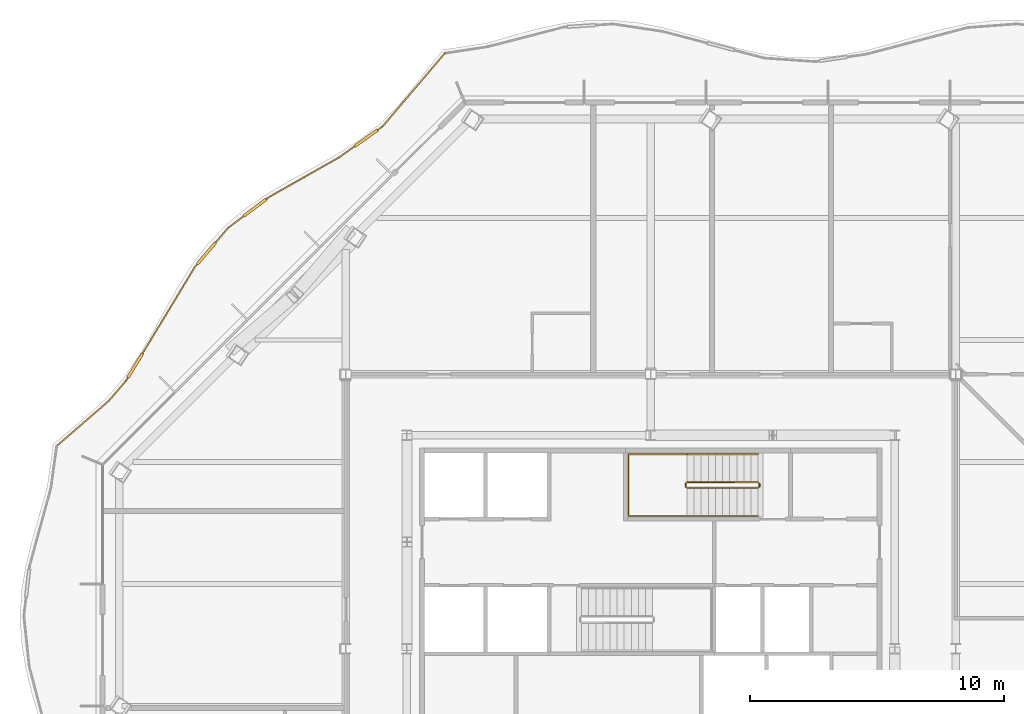
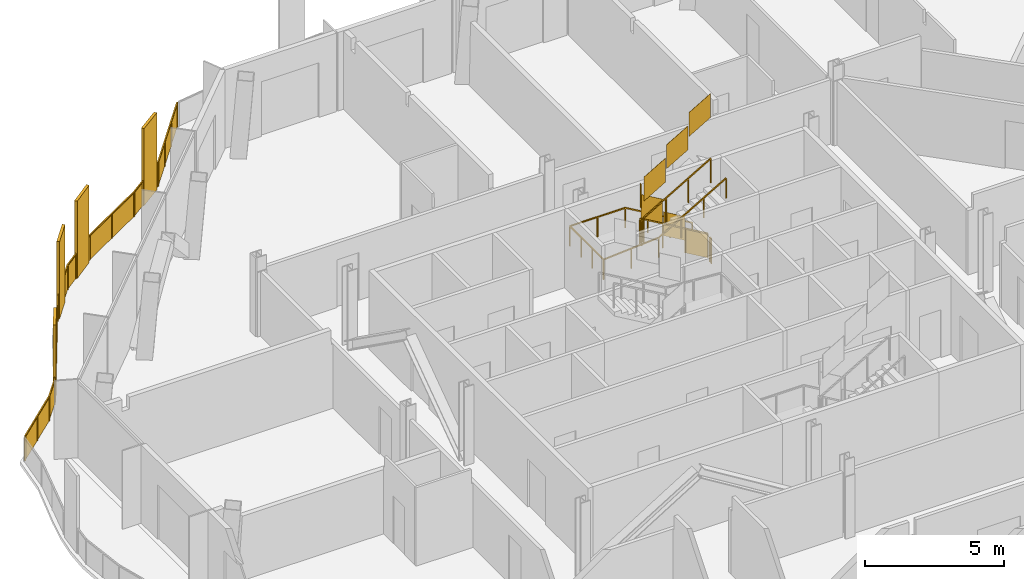
# One storey, part 18 of 19: 4 railings.
"""IFC4 building model written with IfcOpenShell, lengths in metres."""

from ifc_helpers import new_model, si_unit, direction, frame, origin, origin_2d, place, context, subcontext, project, spatial, polyline, rectangle, outline, extrude, material, type_object, element, save


model = new_model("IFC4")

# Units and contexts
model_context = context("Model", 3, precision=1e-05, world=origin(), true_north=direction((0.0, 1.0)))
body_context = subcontext(model_context, "Body", "Model", "MODEL_VIEW")
ifc_project = project(units=[si_unit("LENGTHUNIT", "METRE"), si_unit("AREAUNIT", "SQUARE_METRE"), si_unit("VOLUMEUNIT", "CUBIC_METRE"), si_unit("PLANEANGLEUNIT", "RADIAN"), si_unit("MASSUNIT", "GRAM", prefix="KILO")], contexts=[model_context])

# Site, building, storey
site_placement = place(None, origin())
site = spatial("IfcSite", under=ifc_project, at=site_placement, CompositionType="ELEMENT")
building_placement = place(site_placement, origin())
building = spatial("IfcBuilding", under=site, at=building_placement, Name="Cairn Pilgrim Tower", CompositionType="ELEMENT")
storey_placement = place(building_placement, frame((0.0, 0.0, 197.39990234375)))
storey = spatial("IfcBuildingStorey", under=building, at=storey_placement, Name="L50", CompositionType="ELEMENT", Elevation=197.39990234375)

# Railings
ifc_material_1 = material(Name="Bronze anodised aluminium rail, posts and fin screens with laminated glass infill", Category="aluminium")
railing_type_1 = type_object("IfcRailingType", Name="BALCONY GUARD WITH FIN SCREENS", PredefinedType="GUARDRAIL", material=ifc_material_1)
railing_1_placement = place(storey_placement, frame((-0.903564453125, 25.83642578125, 0.0)))
element("IfcRailing", 1, at=railing_1_placement, inside=storey, type_object=railing_type_1, Name="Balcony guard BGF-6 with fin screens", PredefinedType="GUARDRAIL", context=body_context, shape_type="SweptSolid", body=[
    extrude(rectangle(XDim=0.050048828125, YDim=0.050048828125, at=origin_2d()), frame((0.0, 0.0, 1.0751953125), z_axis=(-0.648116242529, -0.761541421178, 0.0), x_axis=(0.761541421178, -0.648116242529, 0.0)), (0.0, 0.0, 1.0), 3.7861328125),
    extrude(rectangle(XDim=1.10009765625, YDim=0.110107421875, at=origin_2d()), frame((-3.09716796875, -3.3408203125, 0.0), z_axis=(0.0, 0.0, 1.0), x_axis=(-0.814898973261, -0.57960302223, 0.0)), (0.0, 0.0, 1.0), 3.39990234375),
    extrude(rectangle(XDim=0.050048828125, YDim=0.050048828125, at=origin_2d()), frame((-2.453857421875, -2.88330078125, 1.0751953125), z_axis=(-0.814898973261, -0.57960302223, 0.0), x_axis=(0.57960302223, -0.814898973261, 0.0)), (0.0, 0.0, 1.0), 0.239501953125),
    extrude(rectangle(XDim=0.050048828125, YDim=0.050048828125, at=origin_2d()), frame((-3.54541015625, -3.65966796875, 1.0751953125), z_axis=(-0.814898973261, -0.57960302223, 0.0), x_axis=(0.57960302223, -0.814898973261, 0.0)), (0.0, 0.0, 1.0), 0.752197265625),
    extrude(rectangle(XDim=0.050048828125, YDim=0.050048828125, at=origin_2d()), frame((-4.158447265625, -4.095703125, 1.0751953125), z_axis=(-0.870072876062, -0.492923107939, 0.0), x_axis=(0.492923107939, -0.870072876062, 0.0)), (0.0, 0.0, 1.0), 3.16748046875),
    extrude(rectangle(XDim=1.10009765625, YDim=0.110107421875, at=origin_2d()), frame((-7.473388671875, -6.078125, 0.0), z_axis=(0.0, 0.0, 1.0), x_axis=(-0.79875722048, -0.601653473963, 0.0)), (0.0, 0.0, 1.0), 3.39990234375),
    extrude(rectangle(XDim=0.050048828125, YDim=0.050048828125, at=origin_2d()), frame((-6.914306640625, -5.656982421875, 1.0751953125), z_axis=(-0.79875722048, -0.601653473963, 0.0), x_axis=(0.601653473963, -0.79875722048, 0.0)), (0.0, 0.0, 1.0), 0.14990234375),
    extrude(rectangle(XDim=0.050048828125, YDim=0.050048828125, at=origin_2d()), frame((-7.91259765625, -6.408935546875, 1.0751953125), z_axis=(-0.79875722048, -0.601653473963, 0.0), x_axis=(0.601653473963, -0.79875722048, 0.0)), (0.0, 0.0, 1.0), 0.7802734375),
    extrude(rectangle(XDim=1.10009765625, YDim=0.110107421875, at=origin_2d()), frame((-9.38720703125, -7.8798828125, 0.0), z_axis=(0.0, 0.0, 1.0), x_axis=(-0.647711746271, -0.761885485977, 0.0)), (0.0, 0.0, 1.0), 3.39990234375),
    extrude(rectangle(XDim=0.050048828125, YDim=0.050048828125, at=origin_2d()), frame((-8.535888671875, -6.87841796875, 1.0751953125), z_axis=(-0.647711746271, -0.761885485977, 0.0), x_axis=(0.761885485977, -0.647711746271, 0.0)), (0.0, 0.0, 1.0), 0.764404296875),
    extrude(rectangle(XDim=0.050048828125, YDim=0.050048828125, at=origin_2d()), frame((-9.743408203125, -8.298828125, 1.0751953125), z_axis=(-0.647711746271, -0.761885485977, 0.0), x_axis=(0.761885485977, -0.647711746271, 0.0)), (0.0, 0.0, 1.0), 0.14990234375),
    extrude(rectangle(XDim=1.10009765625, YDim=0.110107421875, at=origin_2d()), frame((-12.192138671875, -12.301025390625, 0.0), z_axis=(0.0, 0.0, 1.0), x_axis=(-0.517525576656, -0.855667737797, 0.0)), (0.0, 0.0, 1.0), 3.39990234375),
    extrude(rectangle(XDim=0.050048828125, YDim=0.050048828125, at=origin_2d()), frame((-9.840576171875, -8.4130859375, 1.0751953125), z_axis=(-0.517525576656, -0.855667737797, 0.0), x_axis=(0.855667737797, -0.517525576656, 0.0)), (0.0, 0.0, 1.0), 3.99365234375),
    extrude(rectangle(XDim=0.050048828125, YDim=0.050048828125, at=origin_2d()), frame((-12.476806640625, -12.771728515625, 1.0751953125), z_axis=(-0.517525576656, -0.855667737797, 0.0), x_axis=(0.855667737797, -0.517525576656, 0.0)), (0.0, 0.0, 1.0), 0.150146484375),
    extrude(rectangle(XDim=0.050048828125, YDim=0.050048828125, at=origin_2d()), frame((-12.554443359375, -12.900146484375, 1.0751953125), z_axis=(-0.653059830308, -0.757306317179, 0.0), x_axis=(0.757306317179, -0.653059830308, 0.0)), (0.0, 0.0, 1.0), 1.04443359375),
    extrude(rectangle(XDim=0.050048828125, YDim=0.050048828125, at=origin_2d()), frame((-13.236572265625, -13.691162109375, 1.0751953125), z_axis=(-0.755939089636, -0.654641957684, 0.0), x_axis=(0.654641957684, -0.755939089636, 0.0)), (0.0, 0.0, 1.0), 2.6416015625),
    extrude(rectangle(XDim=0.050048828125, YDim=0.050048828125, at=origin_2d()), origin(), (0.0, 0.0, 1.0), 1.050048828125),
    extrude(rectangle(XDim=0.050048828125, YDim=0.050048828125, at=origin_2d()), frame((-0.81787109375, -0.961181640625, 0.0)), (0.0, 0.0, 1.0), 1.050048828125),
    extrude(rectangle(XDim=0.050048828125, YDim=0.050048828125, at=origin_2d()), frame((-1.635986328125, -1.922119140625, 0.0)), (0.0, 0.0, 1.0), 1.050048828125),
    extrude(rectangle(XDim=0.050048828125, YDim=0.050048828125, at=origin_2d()), frame((-2.453857421875, -2.88330078125, 0.0)), (0.0, 0.0, 1.0), 1.050048828125),
    extrude(rectangle(XDim=0.050048828125, YDim=0.050048828125, at=origin_2d()), frame((-2.628662109375, -3.007568359375, 0.0)), (0.0, 0.0, 1.0), 1.050048828125),
    extrude(rectangle(XDim=0.050048828125, YDim=0.050048828125, at=origin_2d()), frame((-3.565673828125, -3.674072265625, 0.0)), (0.0, 0.0, 1.0), 1.050048828125),
    extrude(rectangle(XDim=0.050048828125, YDim=0.050048828125, at=origin_2d()), frame((-4.158447265625, -4.095703125, 0.0)), (0.0, 0.0, 1.0), 1.050048828125),
    extrude(rectangle(XDim=0.050048828125, YDim=0.050048828125, at=origin_2d()), frame((-5.536376953125, -4.87646484375, 0.0)), (0.0, 0.0, 1.0), 1.050048828125),
    extrude(rectangle(XDim=0.050048828125, YDim=0.050048828125, at=origin_2d()), frame((-6.914306640625, -5.656982421875, 0.0)), (0.0, 0.0, 1.0), 1.050048828125),
    extrude(rectangle(XDim=0.050048828125, YDim=0.050048828125, at=origin_2d()), frame((-7.01416015625, -5.732177734375, 0.0)), (0.0, 0.0, 1.0), 1.050048828125),
    extrude(rectangle(XDim=0.050048828125, YDim=0.050048828125, at=origin_2d()), frame((-7.9326171875, -6.424072265625, 0.0)), (0.0, 0.0, 1.0), 1.050048828125),
    extrude(rectangle(XDim=0.050048828125, YDim=0.050048828125, at=origin_2d()), frame((-8.535888671875, -6.87841796875, 0.0)), (0.0, 0.0, 1.0), 1.050048828125),
    extrude(rectangle(XDim=0.050048828125, YDim=0.050048828125, at=origin_2d()), frame((-9.0146484375, -7.441650390625, 0.0)), (0.0, 0.0, 1.0), 1.050048828125),
    extrude(rectangle(XDim=0.050048828125, YDim=0.050048828125, at=origin_2d()), frame((-9.759765625, -8.31787109375, 0.0)), (0.0, 0.0, 1.0), 1.050048828125),
    extrude(rectangle(XDim=0.050048828125, YDim=0.050048828125, at=origin_2d()), frame((-9.840576171875, -8.4130859375, 0.0)), (0.0, 0.0, 1.0), 1.050048828125),
    extrude(rectangle(XDim=0.050048828125, YDim=0.050048828125, at=origin_2d()), frame((-10.525146484375, -9.545166015625, 0.0)), (0.0, 0.0, 1.0), 1.050048828125),
    extrude(rectangle(XDim=0.050048828125, YDim=0.050048828125, at=origin_2d()), frame((-11.2099609375, -10.677001953125, 0.0)), (0.0, 0.0, 1.0), 1.050048828125),
    extrude(rectangle(XDim=0.050048828125, YDim=0.050048828125, at=origin_2d()), frame((-11.89453125, -11.80908203125, 0.0)), (0.0, 0.0, 1.0), 1.050048828125),
    extrude(rectangle(XDim=0.050048828125, YDim=0.050048828125, at=origin_2d()), frame((-12.48974609375, -12.79296875, 0.0)), (0.0, 0.0, 1.0), 1.050048828125),
    extrude(rectangle(XDim=0.050048828125, YDim=0.050048828125, at=origin_2d()), frame((-12.554443359375, -12.900146484375, 0.0)), (0.0, 0.0, 1.0), 1.050048828125),
    extrude(rectangle(XDim=0.050048828125, YDim=0.050048828125, at=origin_2d()), frame((-13.236572265625, -13.691162109375, 0.0)), (0.0, 0.0, 1.0), 1.050048828125),
    extrude(rectangle(XDim=0.050048828125, YDim=0.050048828125, at=origin_2d()), frame((-14.23486328125, -14.5556640625, 0.0)), (0.0, 0.0, 1.0), 1.050048828125),
    extrude(rectangle(XDim=0.050048828125, YDim=0.050048828125, at=origin_2d()), frame((-15.2333984375, -15.42041015625, 0.0)), (0.0, 0.0, 1.0), 1.050048828125),
    extrude(outline(polyline([(0.02490234375, 0.0), (1.237060546875, 0.0), (1.237060546875, 1.050048828125), (0.02490234375, 1.050048828125), (0.02490234375, 0.0)])), frame((0.004638671875, -0.00390625, 0.0), z_axis=(-0.761541421178, 0.648116242529, 0.0), x_axis=(-0.648116242529, -0.761541421178, 0.0)), (0.0, 0.0, 1.0), 0.011962890625),
    extrude(outline(polyline([(0.02490234375, 0.0), (1.237060546875, 0.0), (1.237060546875, 1.050048828125), (0.02490234375, 1.050048828125), (0.02490234375, 0.0)])), frame((-0.8134765625, -0.965087890625, 0.0), z_axis=(-0.761541421178, 0.648116242529, 0.0), x_axis=(-0.648116242529, -0.761541421178, 0.0)), (0.0, 0.0, 1.0), 0.011962890625),
    extrude(outline(polyline([(0.02490234375, 0.0), (1.237060546875, 0.0), (1.237060546875, 1.050048828125), (0.02490234375, 1.050048828125), (0.02490234375, 0.0)])), frame((-1.63134765625, -1.926025390625, 0.0), z_axis=(-0.761541421178, 0.648116242529, 0.0), x_axis=(-0.648116242529, -0.761541421178, 0.0)), (0.0, 0.0, 1.0), 0.011962890625),
    extrude(outline(polyline([(0.02490234375, 0.0), (0.189453125, 0.0), (0.189453125, 1.050048828125), (0.02490234375, 1.050048828125), (0.02490234375, 0.0)])), frame((-2.450439453125, -2.88818359375, 0.0), z_axis=(-0.57960302223, 0.814898973261, 0.0), x_axis=(-0.814898973261, -0.57960302223, 0.0)), (0.0, 0.0, 1.0), 0.011962890625),
    extrude(outline(polyline([(0.02490234375, 0.0), (0.7021484375, 0.0), (0.7021484375, 1.050048828125), (0.02490234375, 1.050048828125), (0.02490234375, 0.0)])), frame((-3.562255859375, -3.678955078125, 0.0), z_axis=(-0.57960302223, 0.814898973261, 0.0), x_axis=(-0.814898973261, -0.57960302223, 0.0)), (0.0, 0.0, 1.0), 0.011962890625),
    extrude(outline(polyline([(0.02490234375, 0.0), (1.55859375, 0.0), (1.55859375, 1.050048828125), (0.02490234375, 1.050048828125), (0.02490234375, 0.0)])), frame((-4.155517578125, -4.100830078125, 0.0), z_axis=(-0.492923107939, 0.870072876062, 0.0), x_axis=(-0.870072876062, -0.492923107939, 0.0)), (0.0, 0.0, 1.0), 0.011962890625),
    extrude(outline(polyline([(0.02490234375, 0.0), (1.55859375, 0.0), (1.55859375, 1.050048828125), (0.02490234375, 1.050048828125), (0.02490234375, 0.0)])), frame((-5.533447265625, -4.881591796875, 0.0), z_axis=(-0.492923107939, 0.870072876062, 0.0), x_axis=(-0.870072876062, -0.492923107939, 0.0)), (0.0, 0.0, 1.0), 0.011962890625),
    extrude(outline(polyline([(0.02490234375, 0.0), (0.099853515625, 0.0), (0.099853515625, 1.050048828125), (0.02490234375, 1.050048828125), (0.02490234375, 0.0)])), frame((-6.91064453125, -5.661865234375, 0.0), z_axis=(-0.601653473963, 0.79875722048, 0.0), x_axis=(-0.79875722048, -0.601653473963, 0.0)), (0.0, 0.0, 1.0), 0.011962890625),
    extrude(outline(polyline([(0.02490234375, 0.0), (0.730224609375, 0.0), (0.730224609375, 1.050048828125), (0.02490234375, 1.050048828125), (0.02490234375, 0.0)])), frame((-7.928955078125, -6.4287109375, 0.0), z_axis=(-0.601653473963, 0.79875722048, 0.0), x_axis=(-0.79875722048, -0.601653473963, 0.0)), (0.0, 0.0, 1.0), 0.011962890625),
    extrude(outline(polyline([(0.02490234375, 0.0), (0.71435546875, 0.0), (0.71435546875, 1.050048828125), (0.02490234375, 1.050048828125), (0.02490234375, 0.0)])), frame((-8.53125, -6.88232421875, 0.0), z_axis=(-0.761885485977, 0.647711746271, 0.0), x_axis=(-0.647711746271, -0.761885485977, 0.0)), (0.0, 0.0, 1.0), 0.011962890625),
    extrude(outline(polyline([(0.02490234375, 0.0), (0.099853515625, 0.0), (0.099853515625, 1.050048828125), (0.02490234375, 1.050048828125), (0.02490234375, 0.0)])), frame((-9.755126953125, -8.32177734375, 0.0), z_axis=(-0.761885485977, 0.647711746271, 0.0), x_axis=(-0.647711746271, -0.761885485977, 0.0)), (0.0, 0.0, 1.0), 0.011962890625),
    extrude(outline(polyline([(0.02490234375, 0.0), (1.2978515625, 0.0), (1.2978515625, 1.050048828125), (0.02490234375, 1.050048828125), (0.02490234375, 0.0)])), frame((-9.83544921875, -8.416259765625, 0.0), z_axis=(-0.855667737797, 0.517525576656, 0.0), x_axis=(-0.517525576656, -0.855667737797, 0.0)), (0.0, 0.0, 1.0), 0.011962890625),
    extrude(outline(polyline([(0.02490234375, 0.0), (1.2978515625, 0.0), (1.2978515625, 1.050048828125), (0.02490234375, 1.050048828125), (0.02490234375, 0.0)])), frame((-10.52001953125, -9.548095703125, 0.0), z_axis=(-0.855667737797, 0.517525576656, 0.0), x_axis=(-0.517525576656, -0.855667737797, 0.0)), (0.0, 0.0, 1.0), 0.011962890625),
    extrude(outline(polyline([(0.02490234375, 0.0), (1.2978515625, 0.0), (1.2978515625, 1.050048828125), (0.02490234375, 1.050048828125), (0.02490234375, 0.0)])), frame((-11.204833984375, -10.68017578125, 0.0), z_axis=(-0.855667737797, 0.517525576656, 0.0), x_axis=(-0.517525576656, -0.855667737797, 0.0)), (0.0, 0.0, 1.0), 0.011962890625),
    extrude(outline(polyline([(0.02490234375, 0.0), (0.10009765625, 0.0), (0.10009765625, 1.050048828125), (0.02490234375, 1.050048828125), (0.02490234375, 0.0)])), frame((-12.484619140625, -12.796142578125, 0.0), z_axis=(-0.855667737797, 0.517525576656, 0.0), x_axis=(-0.517525576656, -0.855667737797, 0.0)), (0.0, 0.0, 1.0), 0.011962890625),
    extrude(outline(polyline([(0.02490234375, 0.0), (1.01953125, 0.0), (1.01953125, 1.050048828125), (0.02490234375, 1.050048828125), (0.02490234375, 0.0)])), frame((-12.5498046875, -12.904052734375, 0.0), z_axis=(-0.757306317179, 0.653059830308, 0.0), x_axis=(-0.653059830308, -0.757306317179, 0.0)), (0.0, 0.0, 1.0), 0.011962890625),
    extrude(outline(polyline([(0.02490234375, 0.0), (1.295654296875, 0.0), (1.295654296875, 1.050048828125), (0.02490234375, 1.050048828125), (0.02490234375, 0.0)])), frame((-13.232666015625, -13.69580078125, 0.0), z_axis=(-0.654641957684, 0.755939089636, 0.0), x_axis=(-0.755939089636, -0.654641957684, 0.0)), (0.0, 0.0, 1.0), 0.011962890625),
    extrude(outline(polyline([(0.02490234375, 0.0), (1.295654296875, 0.0), (1.295654296875, 1.050048828125), (0.02490234375, 1.050048828125), (0.02490234375, 0.0)])), frame((-14.23095703125, -14.560302734375, 0.0), z_axis=(-0.654641957684, 0.755939089636, 0.0), x_axis=(-0.755939089636, -0.654641957684, 0.0)), (0.0, 0.0, 1.0), 0.011962890625),
])
ifc_material_2 = material(Name="Painted steel", Category="steel")
railing_type_2 = type_object("IfcRailingType", Name="STAIR GUARD 1100", PredefinedType="GUARDRAIL", material=ifc_material_2)
railing_2_placement = place(storey_placement, frame((11.425048828125, 8.949951171875, 0.163818359375)))
element("IfcRailing", 2, at=railing_2_placement, inside=storey, type_object=railing_type_2, Name="L50 ST-C stair guard 1", PredefinedType="GUARDRAIL", context=body_context, shape_type="SweptSolid", body=[
    extrude(rectangle(XDim=0.048095703125, YDim=0.048095703125, at=origin_2d()), frame((0.0, 0.0, 1.076171875), z_axis=(-0.863393664356, 0.0, 0.504530851732), x_axis=(0.0, -1.0, 0.0)), (0.0, 0.0, 1.0), 3.2431640625),
    extrude(rectangle(XDim=0.048095703125, YDim=0.048095703125, at=origin_2d()), frame((-2.800048828125, 0.0, 2.71240234375), z_axis=(-0.707106781187, -0.707106781187, 0.0), x_axis=(0.707106781187, -0.707106781187, 0.0)), (0.0, 0.0, 1.0), 0.07080078125),
    extrude(rectangle(XDim=0.048095703125, YDim=0.048095703125, at=origin_2d()), frame((-2.85009765625, -0.050048828125, 2.71240234375), z_axis=(0.0, -1.0, 0.0), x_axis=(1.0, 0.0, 0.0)), (0.0, 0.0, 1.0), 0.125),
    extrude(rectangle(XDim=0.048095703125, YDim=0.048095703125, at=origin_2d()), frame((-2.85009765625, -0.175048828125, 2.71240234375), z_axis=(0.280916556609, -0.279546231943, 0.91811752648), x_axis=(0.705375805398, 0.708833529934, 0.0)), (0.0, 0.0, 1.0), 0.17822265625),
    extrude(rectangle(XDim=0.048095703125, YDim=0.048095703125, at=origin_2d()), frame((-2.800048828125, -0.224853515625, 2.8759765625), z_axis=(0.863360870873, 0.0, 0.504586966384), x_axis=(0.0, 1.0, 0.0)), (0.0, 0.0, 1.0), 3.2431640625),
    extrude(rectangle(XDim=0.0419921875, YDim=0.0419921875, at=origin_2d()), origin(), (0.0, 0.0, 1.0), 1.052001953125),
    extrude(rectangle(XDim=0.0419921875, YDim=0.0419921875, at=origin_2d()), frame((-0.933349609375, 0.0, 0.54541015625)), (0.0, 0.0, 1.0), 1.052001953125),
    extrude(rectangle(XDim=0.0419921875, YDim=0.0419921875, at=origin_2d()), frame((-1.86669921875, 0.0, 1.0908203125)), (0.0, 0.0, 1.0), 1.052001953125),
    extrude(rectangle(XDim=0.0419921875, YDim=0.0419921875, at=origin_2d()), frame((-2.800048828125, 0.0, 1.63623046875)), (0.0, 0.0, 1.0), 1.052001953125),
    extrude(rectangle(XDim=0.0419921875, YDim=0.0419921875, at=origin_2d()), frame((-2.85009765625, -0.050048828125, 1.63623046875)), (0.0, 0.0, 1.0), 1.052001953125),
    extrude(rectangle(XDim=0.0419921875, YDim=0.0419921875, at=origin_2d()), frame((-2.85009765625, -0.175048828125, 1.63623046875)), (0.0, 0.0, 1.0), 1.052001953125),
    extrude(rectangle(XDim=0.0419921875, YDim=0.0419921875, at=origin_2d()), frame((-2.800048828125, -0.224853515625, 1.7998046875)), (0.0, 0.0, 1.0), 1.052001953125),
    extrude(rectangle(XDim=0.0419921875, YDim=0.0419921875, at=origin_2d()), frame((-1.86669921875, -0.224853515625, 2.34521484375)), (0.0, 0.0, 1.0), 1.052001953125),
    extrude(rectangle(XDim=0.0419921875, YDim=0.0419921875, at=origin_2d()), frame((-0.933349609375, -0.224853515625, 2.890869140625)), (0.0, 0.0, 1.0), 1.052001953125),
    extrude(rectangle(XDim=0.0419921875, YDim=0.0419921875, at=origin_2d()), frame((0.0, -0.224853515625, 3.436279296875)), (0.0, 0.0, 1.0), 1.052001953125),
    extrude(outline(polyline([(0.02099609375, 0.01220703125), (0.912353515625, 0.533203125), (0.912353515625, 1.585205078125), (0.02099609375, 1.064208984375), (0.02099609375, 0.01220703125)])), frame((0.0, -0.005859375, 0.0), z_axis=(0.0, 1.0, 0.0), x_axis=(-1.0, 0.0, 0.0)), (0.0, 0.0, 1.0), 0.011962890625),
    extrude(outline(polyline([(0.02099609375, 0.5576171875), (0.912353515625, 1.07861328125), (0.912353515625, 2.130615234375), (0.02099609375, 1.609619140625), (0.02099609375, 0.5576171875)])), frame((-0.933349609375, -0.005859375, 0.54541015625), z_axis=(0.0, 1.0, 0.0), x_axis=(-1.0, 0.0, 0.0)), (0.0, 0.0, 1.0), 0.011962890625),
    extrude(outline(polyline([(0.02099609375, 1.10302734375), (0.912353515625, 1.6240234375), (0.912353515625, 2.676025390625), (0.02099609375, 2.155029296875), (0.02099609375, 1.10302734375)])), frame((-1.86669921875, -0.005859375, 1.0908203125), z_axis=(0.0, 1.0, 0.0), x_axis=(-1.0, 0.0, 0.0)), (0.0, 0.0, 1.0), 0.011962890625),
    extrude(outline(polyline([(0.02099609375, 1.63623046875), (0.10400390625, 1.63623046875), (0.10400390625, 2.688232421875), (0.02099609375, 2.688232421875), (0.02099609375, 1.63623046875)])), frame((-2.84423828125, -0.050048828125, 1.63623046875), z_axis=(-1.0, 0.0, 0.0), x_axis=(0.0, -1.0, 0.0)), (0.0, 0.0, 1.0), 0.011962890625),
    extrude(outline(polyline([(0.02099609375, 1.81201171875), (0.912353515625, 2.3330078125), (0.912353515625, 3.385009765625), (0.02099609375, 2.864013671875), (0.02099609375, 1.81201171875)])), frame((-2.800048828125, -0.21875, 1.7998046875), z_axis=(0.0, -1.0, 0.0), x_axis=(1.0, 0.0, 0.0)), (0.0, 0.0, 1.0), 0.011962890625),
    extrude(outline(polyline([(0.02099609375, 2.357666015625), (0.912353515625, 2.87841796875), (0.912353515625, 3.930419921875), (0.02099609375, 3.40966796875), (0.02099609375, 2.357666015625)])), frame((-1.86669921875, -0.21875, 2.34521484375), z_axis=(0.0, -1.0, 0.0), x_axis=(1.0, 0.0, 0.0)), (0.0, 0.0, 1.0), 0.011962890625),
    extrude(outline(polyline([(0.02099609375, 2.903076171875), (0.912353515625, 3.424072265625), (0.912353515625, 4.47607421875), (0.02099609375, 3.955078125), (0.02099609375, 2.903076171875)])), frame((-0.933349609375, -0.21875, 2.890869140625), z_axis=(0.0, -1.0, 0.0), x_axis=(1.0, 0.0, 0.0)), (0.0, 0.0, 1.0), 0.011962890625),
])
railing_3_placement = place(storey_placement, frame((11.47509765625, 8.89990234375, 0.0)))
element("IfcRailing", 3, at=railing_3_placement, inside=storey, type_object=railing_type_2, Name="L50 ST-C stair guard 2", PredefinedType="GUARDRAIL", context=body_context, shape_type="SweptSolid", body=[
    extrude(rectangle(XDim=0.048095703125, YDim=0.048095703125, at=origin_2d()), frame((0.0, 0.0, 1.076171875), z_axis=(0.0, -1.0, 0.0), x_axis=(1.0, 0.0, 0.0)), (0.0, 0.0, 1.0), 0.125),
    extrude(rectangle(XDim=0.0419921875, YDim=0.0419921875, at=origin_2d()), origin(), (0.0, 0.0, 1.0), 1.052001953125),
    extrude(rectangle(XDim=0.0419921875, YDim=0.0419921875, at=origin_2d()), frame((0.0, -0.125, 0.0)), (0.0, 0.0, 1.0), 1.052001953125),
    extrude(outline(polyline([(0.02099609375, 0.0), (0.10400390625, 0.0), (0.10400390625, 1.052001953125), (0.02099609375, 1.052001953125), (0.02099609375, 0.0)])), frame((0.005859375, 0.0, 0.0), z_axis=(-1.0, 0.0, 0.0), x_axis=(0.0, -1.0, 0.0)), (0.0, 0.0, 1.0), 0.011962890625),
])
railing_type_3 = type_object("IfcRailingType", Name="STAIR HANDRAIL 900", PredefinedType="HANDRAIL", material=ifc_material_2)
railing_4_placement = place(storey_placement, frame((11.425048828125, 10.050048828125, 0.163818359375)))
element("IfcRailing", 4, at=railing_4_placement, inside=storey, type_object=railing_type_3, Name="L50 ST-C stair handrail 1", PredefinedType="HANDRAIL", context=body_context, shape_type="SweptSolid", body=[
    extrude(rectangle(XDim=0.048095703125, YDim=0.048095703125, at=origin_2d()), frame((0.0, 0.0, 0.8759765625), z_axis=(-0.863393664356, 0.0, 0.504530851732), x_axis=(0.0, -1.0, 0.0)), (0.0, 0.0, 1.0), 3.2431640625),
    extrude(rectangle(XDim=0.048095703125, YDim=0.048095703125, at=origin_2d()), frame((-2.800048828125, 0.0, 2.51220703125), z_axis=(-1.0, 0.0, 0.0), x_axis=(0.0, -1.0, 0.0)), (0.0, 0.0, 1.0), 2.300048828125),
    extrude(rectangle(XDim=0.048095703125, YDim=0.048095703125, at=origin_2d()), frame((-5.10009765625, 0.0, 2.51220703125), z_axis=(0.0, -1.0, 0.0), x_axis=(1.0, 0.0, 0.0)), (0.0, 0.0, 1.0), 2.425048828125),
    extrude(rectangle(XDim=0.048095703125, YDim=0.048095703125, at=origin_2d()), frame((-5.10009765625, -2.425048828125, 2.51220703125), z_axis=(0.997480687736, 0.0, 0.070938548008), x_axis=(0.0, 1.0, 0.0)), (0.0, 0.0, 1.0), 2.305908203125),
    extrude(rectangle(XDim=0.048095703125, YDim=0.048095703125, at=origin_2d()), frame((-2.800048828125, -2.425048828125, 2.67578125), z_axis=(0.863360870873, 0.0, 0.504586966384), x_axis=(0.0, 1.0, 0.0)), (0.0, 0.0, 1.0), 3.2431640625),
    extrude(rectangle(XDim=0.0419921875, YDim=0.0419921875, at=origin_2d()), origin(), (0.0, 0.0, 1.0), 0.851806640625),
    extrude(rectangle(XDim=0.0419921875, YDim=0.0419921875, at=origin_2d()), frame((-0.933349609375, 0.0, 0.54541015625)), (0.0, 0.0, 1.0), 0.851806640625),
    extrude(rectangle(XDim=0.0419921875, YDim=0.0419921875, at=origin_2d()), frame((-1.86669921875, 0.0, 1.0908203125)), (0.0, 0.0, 1.0), 0.851806640625),
    extrude(rectangle(XDim=0.0419921875, YDim=0.0419921875, at=origin_2d()), frame((-2.800048828125, 0.0, 1.63623046875)), (0.0, 0.0, 1.0), 0.851806640625),
    extrude(rectangle(XDim=0.0419921875, YDim=0.0419921875, at=origin_2d()), frame((-3.9501953125, 0.0, 1.63623046875)), (0.0, 0.0, 1.0), 0.851806640625),
    extrude(rectangle(XDim=0.0419921875, YDim=0.0419921875, at=origin_2d()), frame((-5.10009765625, 0.0, 1.63623046875)), (0.0, 0.0, 1.0), 0.851806640625),
    extrude(rectangle(XDim=0.0419921875, YDim=0.0419921875, at=origin_2d()), frame((-5.10009765625, -0.808349609375, 1.63623046875)), (0.0, 0.0, 1.0), 0.851806640625),
    extrude(rectangle(XDim=0.0419921875, YDim=0.0419921875, at=origin_2d()), frame((-5.10009765625, -1.61669921875, 1.63623046875)), (0.0, 0.0, 1.0), 0.851806640625),
    extrude(rectangle(XDim=0.0419921875, YDim=0.0419921875, at=origin_2d()), frame((-5.10009765625, -2.425048828125, 1.63623046875)), (0.0, 0.0, 1.0), 0.851806640625),
    extrude(rectangle(XDim=0.0419921875, YDim=0.0419921875, at=origin_2d()), frame((-3.9501953125, -2.425048828125, 1.718017578125)), (0.0, 0.0, 1.0), 0.851806640625),
    extrude(rectangle(XDim=0.0419921875, YDim=0.0419921875, at=origin_2d()), frame((-2.800048828125, -2.425048828125, 1.7998046875)), (0.0, 0.0, 1.0), 0.851806640625),
    extrude(rectangle(XDim=0.0419921875, YDim=0.0419921875, at=origin_2d()), frame((-1.86669921875, -2.425048828125, 2.34521484375)), (0.0, 0.0, 1.0), 0.851806640625),
    extrude(rectangle(XDim=0.0419921875, YDim=0.0419921875, at=origin_2d()), frame((-0.933349609375, -2.425048828125, 2.890869140625)), (0.0, 0.0, 1.0), 0.851806640625),
    extrude(rectangle(XDim=0.0419921875, YDim=0.0419921875, at=origin_2d()), frame((0.0, -2.425048828125, 3.436279296875)), (0.0, 0.0, 1.0), 0.851806640625),
])

save(model, "model.ifc")
